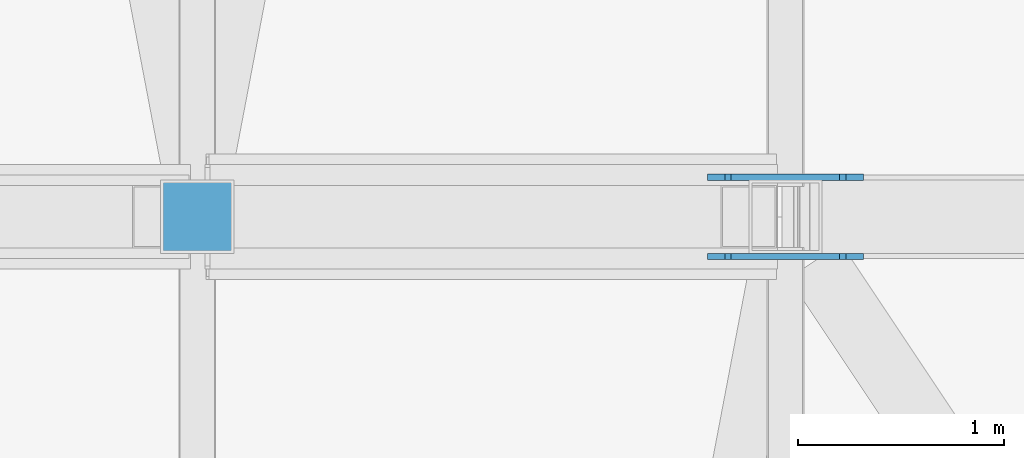
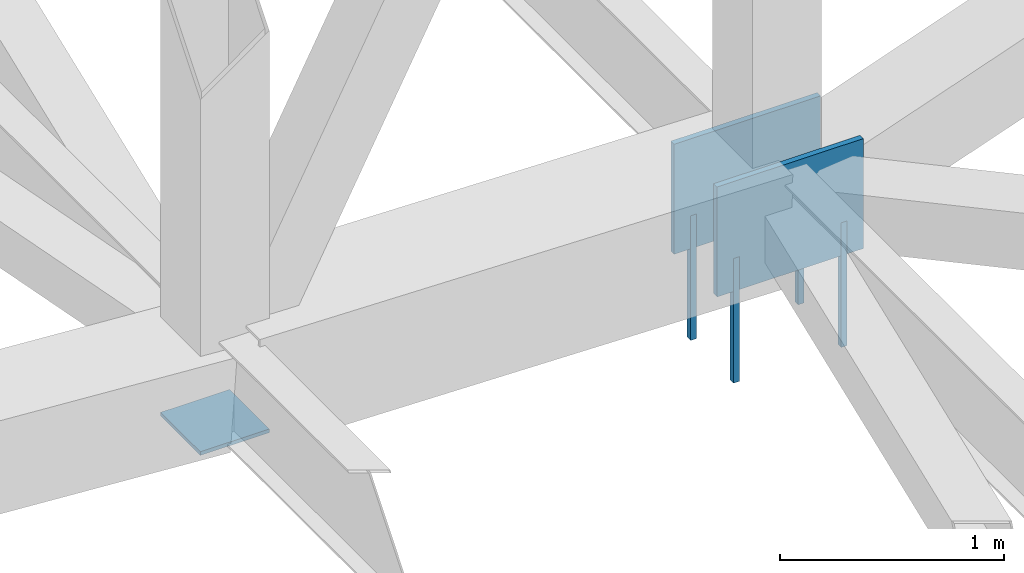
# One storey, part 200 of 278: 4 mechanical fasteners, 3 discrete accessories.
"""IFC4 building model written with IfcOpenShell, lengths in metres."""

import ifcopenshell
import ifcopenshell.guid

model = None  # the IFC model being written
_history = None  # IfcOwnerHistory: only IFC2X3 demands one
_inside = {}  # id of a spatial element -> (the spatial element, [elements in it])
_under = {}  # id of a project, library or spatial element -> (it, [spatial elements below it])
_declared = {}  # id of a project -> (the project, [libraries it declares])
_typed = {}  # id of a type object -> (the type object, [elements of that type])
_made_of = {}  # id of a material, layer set ... -> (it, [elements and type objects made of it])


def new_model(schema):
    """Start an empty IFC model of exactly this schema.

    Asked for "IFC4X3", IfcOpenShell would pick the latest addendum, in which some entities
    have other attributes; the version numbers below select the first issue.
    IFC2X3 requires an IfcOwnerHistory on every rooted entity: one is made here for all.
    """
    global model, _history
    if schema == "IFC4X3":
        model = ifcopenshell.file(schema_version=(4, 3, 0, 0))
    else:
        model = ifcopenshell.file(schema=schema)
    _inside.clear()
    _under.clear()
    _declared.clear()
    _typed.clear()
    _made_of.clear()
    _history = None
    if model.schema == "IFC2X3":
        org = make("IfcOrganization", Name="unknown")
        user = make(
            "IfcPersonAndOrganization",
            ThePerson=make("IfcPerson", FamilyName="unknown"),
            TheOrganization=org,
        )
        app = make(
            "IfcApplication",
            ApplicationDeveloper=org,
            Version="unknown",
            ApplicationFullName="unknown",
            ApplicationIdentifier="unknown",
        )
        _history = make(
            "IfcOwnerHistory",
            OwningUser=user,
            OwningApplication=app,
            ChangeAction="ADDED",
            CreationDate=0,
        )
    return model


def make(cls, **values):
    """One entity of the class cls with the attributes given. An attribute that is None is left unset."""
    return model.create_entity(
        cls, **{name: value for name, value in values.items() if value is not None}
    )


def rooted(cls, **values):
    """An entity with a GlobalId (a new one), such as an element, a storey or a relation."""
    return make(cls, GlobalId=ifcopenshell.guid.new(), OwnerHistory=_history, **values)


def si_unit(unit_type, name, prefix=None):
    """IfcSIUnit, for example si_unit("LENGTHUNIT", "METRE", prefix="MILLI")."""
    return make("IfcSIUnit", UnitType=unit_type, Prefix=prefix, Name=name)


def assignment(units):
    """IfcUnitAssignment: the units of a project."""
    return None if units is None else make("IfcUnitAssignment", Units=units)


def point(xyz):
    """IfcCartesianPoint."""
    return None if xyz is None else make("IfcCartesianPoint", Coordinates=xyz)


def direction(xyz):
    """IfcDirection."""
    return None if xyz is None else make("IfcDirection", DirectionRatios=xyz)


def frame(location, z_axis=None, x_axis=None):
    """IfcAxis2Placement3D, a coordinate frame: its origin and axes. An axis left out is left unset."""
    return make(
        "IfcAxis2Placement3D",
        Location=point(location),
        Axis=direction(z_axis),
        RefDirection=direction(x_axis),
    )


def frame_2d(location, x_axis=None):
    """IfcAxis2Placement2D, a coordinate frame in the plane: its origin and x axis."""
    return make(
        "IfcAxis2Placement2D", Location=point(location), RefDirection=direction(x_axis)
    )


def origin():
    """The frame at (0, 0, 0) with its axes left unset."""
    return frame((0.0, 0.0, 0.0))


def origin_2d():
    """The frame at (0, 0) in the plane with its x axis left unset."""
    return frame_2d((0.0, 0.0))


def place(relative_to, where):
    """IfcLocalPlacement: puts the frame where relative to a parent placement (None: the world)."""
    return make(
        "IfcLocalPlacement", PlacementRelTo=relative_to, RelativePlacement=where
    )


def context(
    kind, dimensions, precision=None, world=None, true_north=None, identifier=None
):
    """IfcGeometricRepresentationContext, for example the 3D "Model" context."""
    return make(
        "IfcGeometricRepresentationContext",
        ContextIdentifier=identifier,
        ContextType=kind,
        CoordinateSpaceDimension=dimensions,
        Precision=precision,
        WorldCoordinateSystem=world,
        TrueNorth=true_north,
    )


def subcontext(parent, identifier, kind, view, scale=None):
    """IfcGeometricRepresentationSubContext, for example "Body" below "Model"."""
    return make(
        "IfcGeometricRepresentationSubContext",
        ContextIdentifier=identifier,
        ContextType=kind,
        ParentContext=parent,
        TargetScale=scale,
        TargetView=view,
    )


def project(units=None, contexts=None):
    """IfcProject with its units and contexts."""
    return rooted(
        "IfcProject",
        Name="project",
        RepresentationContexts=contexts,
        UnitsInContext=assignment(units),
    )


def spatial(cls, under=None, at=None, **own):
    """A site, building, storey or space (cls), placed at a placement, below another one or the project."""
    s = rooted(cls, ObjectPlacement=at, **own)
    if under is not None:
        _under.setdefault(under.id(), (under, []))[1].append(s)
    return s


def profile(cls, at=None, kind="AREA", **sizes):
    """A parametric profile (cls). Its sizes go by their IFC names, for example OverallWidth=200.0."""
    return make(cls, ProfileType=kind, Position=at, **sizes)


def rectangle(**sizes):
    """IfcRectangleProfileDef."""
    return profile("IfcRectangleProfileDef", **sizes)


def extrude(swept, where, along, depth):
    """IfcExtrudedAreaSolid: the profile swept, set in the frame where, extruded along a direction by depth."""
    return make(
        "IfcExtrudedAreaSolid",
        SweptArea=swept,
        Position=where,
        ExtrudedDirection=direction(along),
        Depth=depth,
    )


def shape(context_of_items, identifier, shape_type, items):
    """IfcShapeRepresentation: the items that make up one representation, for example the "Body"."""
    return make(
        "IfcShapeRepresentation",
        ContextOfItems=context_of_items,
        RepresentationIdentifier=identifier,
        RepresentationType=shape_type,
        Items=items,
    )


def material(Name=None, Category=None):
    """IfcMaterial."""
    return make("IfcMaterial", Name=Name, Category=Category)


def layer(
    of_material, thickness, ventilated=None, Name=None, Category=None, Priority=None
):
    """IfcMaterialLayer: one layer of a wall or slab, of a material (None: an air gap)."""
    return make(
        "IfcMaterialLayer",
        Material=of_material,
        LayerThickness=thickness,
        IsVentilated=ventilated,
        Name=Name,
        Category=Category,
        Priority=Priority,
    )


def layer_set(layers, Name=None):
    """IfcMaterialLayerSet."""
    return make("IfcMaterialLayerSet", MaterialLayers=layers, LayerSetName=Name)


def made_of(thing, what):
    """Note that an element or type object is made of a material, layer set ...; save() writes the relation."""
    if what is not None:
        _made_of.setdefault(what.id(), (what, []))[1].append(thing)
    return thing


def type_object(cls, material=None, **own):
    """A type object (cls), such as IfcWallType, which elements share."""
    return made_of(rooted(cls, **own), material)


def element(
    cls,
    number,
    at=None,
    inside=None,
    cuts=None,
    type_object=None,
    material=None,
    context=None,
    identifier="Body",
    shape_type=None,
    held_by="IfcProductDefinitionShape",
    body=None,
    shapes=None,
    **own,
):
    """One element of the class cls, such as IfcWall. Its Tag is "e" and its number.

    at: its placement. inside: the storey or other place that contains it. cuts: it is an
    opening in that element (IfcRelVoidsElement). A single representation is given by context,
    identifier, shape_type and body (its items); several are given by shapes. held_by: the class
    of the entity that holds the representations. save() writes the other relations.
    """
    e = rooted(cls, Tag="e%d" % number, ObjectPlacement=at, **own)
    if body is not None:
        shapes = [shape(context, identifier, shape_type, body)]
    if shapes is not None:
        e.Representation = make(held_by, Representations=shapes)
    if inside is not None:
        _inside.setdefault(inside.id(), (inside, []))[1].append(e)
    if cuts is not None:
        rooted(
            "IfcRelVoidsElement", RelatingBuildingElement=cuts, RelatedOpeningElement=e
        )
    if type_object is not None:
        _typed.setdefault(type_object.id(), (type_object, []))[1].append(e)
    return made_of(e, material)


def aggregate(whole, parts):
    """IfcRelAggregates: a whole, such as a stair, and the parts it consists of."""
    return rooted("IfcRelAggregates", RelatingObject=whole, RelatedObjects=parts)


def save(model, path):
    """Write the relations noted so far, then the file.

    IfcRelAggregates (storeys below a building ...), IfcRelContainedInSpatialStructure (elements
    in a storey), IfcRelDefinesByType, IfcRelAssociatesMaterial and IfcRelDeclares: one each for
    every whole, place, type object, material and project.
    """
    for whole, parts in _under.values():
        aggregate(whole, parts)
    for where, things in _inside.values():
        rooted(
            "IfcRelContainedInSpatialStructure",
            RelatedElements=things,
            RelatingStructure=where,
        )
    for kind, things in _typed.values():
        rooted("IfcRelDefinesByType", RelatedObjects=things, RelatingType=kind)
    for what, things in _made_of.values():
        rooted("IfcRelAssociatesMaterial", RelatedObjects=things, RelatingMaterial=what)
    for by, libraries in _declared.values():
        rooted("IfcRelDeclares", RelatingContext=by, RelatedDefinitions=libraries)
    model.write(path)


model = new_model("IFC4")

# Units and contexts
model_context = context("Model", 3, precision=1e-05, world=origin(), true_north=direction((0.0, 1.0)))
body_context = subcontext(model_context, "Body", "Model", "MODEL_VIEW")
ifc_project = project(units=[si_unit("LENGTHUNIT", "METRE"), si_unit("AREAUNIT", "SQUARE_METRE"), si_unit("VOLUMEUNIT", "CUBIC_METRE"), si_unit("PLANEANGLEUNIT", "RADIAN"), si_unit("MASSUNIT", "GRAM", prefix="KILO")], contexts=[model_context])

# Site, building, storey
site_placement = place(None, origin())
site = spatial("IfcSite", under=ifc_project, at=site_placement, CompositionType="ELEMENT")
building_placement = place(site_placement, origin())
building = spatial("IfcBuilding", under=site, at=building_placement, Name="Ogive Plaza Stadium", CompositionType="ELEMENT")
storey_placement = place(building_placement, frame((0.0, 0.0, 29.0)))
storey = spatial("IfcBuildingStorey", under=building, at=storey_placement, Name="Roof", CompositionType="ELEMENT", Elevation=29.0)

# Mechanical fasteners
ifc_material_1 = material(Name="Steel ASTM A992 Grade 50", Category="steel")
mechanical_fastener_type = type_object("IfcMechanicalFastenerType", Name="Anchor bolt M30 x 600", PredefinedType="ANCHORBOLT", material=ifc_material_1)
for number, where, z_axis, x_axis, name in (
    (1, (74.27783203125, 7.69189453125, -0.5), (0.0, 0.0, 1.0), (1.0, 0.0, 0.0), "ANCHOR BOLT 04 BP 1.1"),
    (2, (73.72216796875, 7.69189453125, -0.5), (0.0, 0.0, 1.0), (1.0, 0.0, 0.0), "ANCHOR BOLT 04 BP 1.2"),
    (3, (74.27783203125, 7.30810546875, -0.5), (0.0, 0.0, 1.0), (1.0, 0.0, 0.0), "ANCHOR BOLT 04 BP 2.1"),
    (4, (73.72216796875, 7.30810546875, -0.5), (0.0, 0.0, 1.0), (1.0, 0.0, 0.0), "ANCHOR BOLT 04 BP 2.2"),
):
    element("IfcMechanicalFastener", number, at=place(storey_placement, frame(where, z_axis=z_axis, x_axis=x_axis)), inside=storey, type_object=mechanical_fastener_type, Name=name, PredefinedType="ANCHORBOLT", context=body_context, shape_type="SweptSolid", body=[
        extrude(rectangle(XDim=0.030029296875, YDim=0.030029296875, at=origin_2d()), origin(), (0.0, 0.0, 1.0), 0.679931640625),
    ])

# Discrete accessories
ifc_material_2 = material(Name="Steel ASTM A992 Grade 50", Category="steel")
ifc_layer_1 = layer(ifc_material_2, 0.02001953125)
ifc_layer_set_1 = layer_set([ifc_layer_1], Name="Steel ASTM A992 Grade 50")
discrete_accessory_type_1 = type_object("IfcDiscreteAccessoryType", Name="Roof truss post cap plate 20", PredefinedType="ANCHORPLATE", material=ifc_layer_set_1)
discrete_accessory_placement = place(storey_placement, frame((71.14990234375, 7.5, 0.04541015625), z_axis=(0.0, 0.0, 1.0), x_axis=(1.0, 0.0, 0.0)))
element("IfcDiscreteAccessory", 5, at=discrete_accessory_placement, inside=storey, type_object=discrete_accessory_type_1, Name="ROOF TRUSS POST CAP PLATE 04 10", PredefinedType="ANCHORPLATE", context=body_context, shape_type="SweptSolid", body=[
    extrude(rectangle(XDim=0.355712890625, YDim=0.355712890625, at=origin_2d()), origin(), (0.0, 0.0, 1.0), 0.02001953125),
])
ifc_material_3 = material(Name="Steel ASTM A992 Grade 50", Category="steel")
ifc_layer_2 = layer(ifc_material_3, 0.030029296875)
ifc_layer_set_2 = layer_set([ifc_layer_2], Name="Steel ASTM A992 Grade 50")
discrete_accessory_type_2 = type_object("IfcDiscreteAccessoryType", Name="Truss root foot cleat plate 30", PredefinedType="ANCHORPLATE", material=ifc_layer_set_2)
for number, where, z_axis, x_axis, name in (
    (6, (74.0, 7.69189453125, 0.0), (0.0, 0.0, 1.0), (1.0, 0.0, 0.0), "TRUSS ROOT FOOT CLEAT PLATE 04 1"),
    (7, (74.0, 7.30810546875, 0.0), (0.0, 0.0, 1.0), (1.0, 0.0, 0.0), "TRUSS ROOT FOOT CLEAT PLATE 04 2"),
):
    element("IfcDiscreteAccessory", number, at=place(storey_placement, frame(where, z_axis=z_axis, x_axis=x_axis)), inside=storey, type_object=discrete_accessory_type_2, Name=name, PredefinedType="ANCHORPLATE", context=body_context, shape_type="SweptSolid", body=[
        extrude(rectangle(XDim=0.755615234375, YDim=0.030029296875, at=origin_2d()), origin(), (0.0, 0.0, 1.0), 0.60009765625),
    ])

save(model, "model.ifc")
